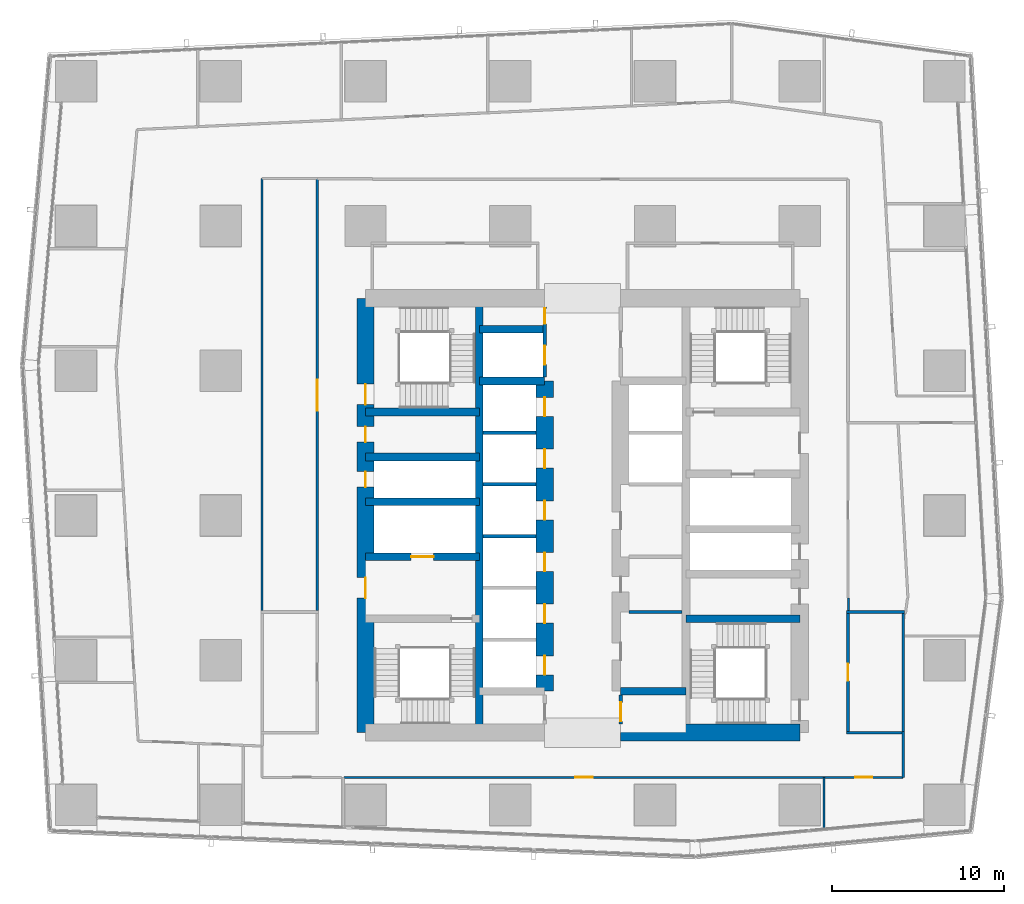
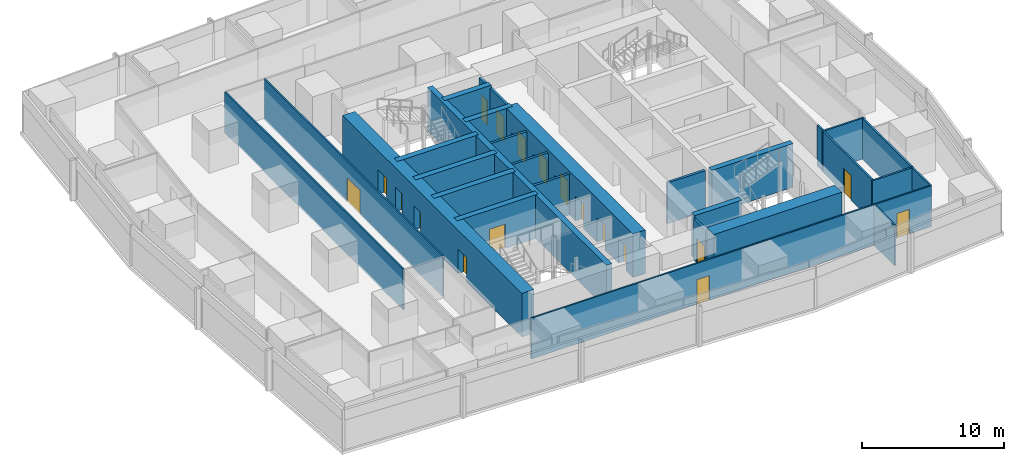
# One storey, part 25 of 37: 29 walls, 18 doors, 18 openings.
"""IFC4 building model written with IfcOpenShell, lengths in metres."""

from ifc_helpers import new_model, si_unit, direction, frame, frame_2d, origin, place, context, subcontext, project, spatial, rectangle, extrude, material, layer, layer_set, type_object, element, fill, save


model = new_model("IFC4")

# Units and contexts
model_context = context("Model", 3, precision=1e-05, world=origin(), true_north=direction((0.0, 1.0)))
body_context = subcontext(model_context, "Body", "Model", "MODEL_VIEW")
ifc_project = project(units=[si_unit("LENGTHUNIT", "METRE"), si_unit("AREAUNIT", "SQUARE_METRE"), si_unit("VOLUMEUNIT", "CUBIC_METRE"), si_unit("PLANEANGLEUNIT", "RADIAN"), si_unit("MASSUNIT", "GRAM", prefix="KILO")], contexts=[model_context])

# Site, building, storey
site_placement = place(None, origin())
site = spatial("IfcSite", under=ifc_project, at=site_placement, CompositionType="ELEMENT")
building_placement = place(site_placement, origin())
building = spatial("IfcBuilding", under=site, at=building_placement, Name="Rekha Terrace Tower", CompositionType="ELEMENT")
storey_placement = place(building_placement, frame((0.0, 0.0, 228.949951171875)))
storey = spatial("IfcBuildingStorey", under=building, at=storey_placement, Name="L58", CompositionType="ELEMENT", Elevation=228.949951171875)

# Walls
ifc_material_1 = material(Name="Concrete M60", Category="concrete")
ifc_layer_1 = layer(ifc_material_1, 0.449951171875)
ifc_layer_set_1 = layer_set([ifc_layer_1], Name="Concrete M60")
wall_type_1 = type_object("IfcWallType", Name="CI3 450 core internal shear wall", PredefinedType="SHEAR", material=ifc_layer_set_1)
wall_1_placement = place(storey_placement, frame((31.800048828125, 21.0, 0.0), z_axis=(0.0, 0.0, 1.0), x_axis=(0.0, 1.0, 0.0)))
element("IfcWall", 1, at=wall_1_placement, inside=storey, type_object=wall_type_1, Name="Core wall X318 L58", PredefinedType="SHEAR", context=body_context, shape_type="SweptSolid", body=[
    extrude(rectangle(XDim=25.199951171875, YDim=0.449951171875, at=frame_2d((12.60009765625, 0.0))), origin(), (0.0, 0.0, 1.0), 3.75),
])
for number, where, z_axis, x_axis, name in (
    (2, (31.800048828125, 41.39990234375, 0.0), (0.0, 0.0, 1.0), (1.0, 0.0, 0.0), "Core wall Y414W L58"),
    (3, (31.800048828125, 44.39990234375, 0.0), (0.0, 0.0, 1.0), (1.0, 0.0, 0.0), "Core wall Y444W L58"),
    (4, (40.0, 23.39990234375, 0.0), (0.0, 0.0, 1.0), (1.0, 0.0, 0.0), "Core wall Y234E L58"),
):
    element("IfcWall", number, at=place(storey_placement, frame(where, z_axis=z_axis, x_axis=x_axis)), inside=storey, type_object=wall_type_1, Name=name, PredefinedType="SHEAR", context=body_context, shape_type="SweptSolid", body=[
        extrude(rectangle(XDim=3.800048828125, YDim=0.449951171875, at=frame_2d((1.89990234375, 0.0))), origin(), (0.0, 0.0, 1.0), 3.75),
    ])

# Wall, opening, door
wall_2_placement = place(storey_placement, frame((25.199951171875, 31.199951171875, 0.0), z_axis=(0.0, 0.0, 1.0), x_axis=(1.0, 0.0, 0.0)))
wall_2 = element("IfcWall", 5, at=wall_2_placement, inside=storey, type_object=wall_type_1, Name="Core wall Y312W L58", PredefinedType="SHEAR", context=body_context, shape_type="SweptSolid", body=[
    extrude(rectangle(XDim=6.60009765625, YDim=0.449951171875, at=frame_2d((3.300048828125, 0.0))), origin(), (0.0, 0.0, 1.0), 3.75),
])
opening_1_placement = place(wall_2_placement, frame((2.64990234375, 0.0, 0.0)))
opening_1 = element("IfcOpeningElement", 6, at=opening_1_placement, cuts=wall_2, Name="Opening LD2", PredefinedType="OPENING", context=body_context, shape_type="SweptSolid", body=[
    extrude(rectangle(XDim=1.300048828125, YDim=2.10009765625, at=frame_2d((0.64990234375, 1.050048828125))), frame((0.0, 0.23486328125, 0.0), z_axis=(0.0, -1.0, 0.0), x_axis=(1.0, 0.0, 0.0)), (0.0, 0.0, 1.0), 0.469970703125),
])
ifc_material_2 = material(Name="Stainless steel sliding landing door", Category="steel")
door_type_1 = type_object("IfcDoorType", Name="LD2 1300x2100 fire lift landing door", OperationType="SLIDING_TO_LEFT", PredefinedType="USERDEFINED", material=ifc_material_2)
door_1_placement = place(opening_1_placement, origin())
door_1 = element("IfcDoor", 7, at=door_1_placement, inside=storey, type_object=door_type_1, Name="Lift FL1 landing door L58", ObjectType="LIFT LANDING DOOR", OperationType="SLIDING_TO_LEFT", OverallHeight=2.10009765625, OverallWidth=1.300048828125, PredefinedType="USERDEFINED", context=body_context, shape_type="SweptSolid", body=[
    extrude(rectangle(XDim=1.300048828125, YDim=2.10009765625, at=frame_2d((0.64990234375, 1.050048828125))), frame((0.0, 0.02490234375, 0.0), z_axis=(0.0, -1.0, 0.0), x_axis=(1.0, 0.0, 0.0)), (0.0, 0.0, 1.0), 0.050048828125),
])
fill(opening_1, door_1)

# Walls
for number, where, z_axis, x_axis, name in (
    (8, (25.199951171875, 34.39990234375, 0.0), (0.0, 0.0, 1.0), (1.0, 0.0, 0.0), "Core wall Y344W L58"),
    (9, (25.199951171875, 37.0, 0.0), (0.0, 0.0, 1.0), (1.0, 0.0, 0.0), "Core wall Y370W L58"),
    (10, (25.199951171875, 39.60009765625, 0.0), (0.0, 0.0, 1.0), (1.0, 0.0, 0.0), "Core wall Y396W L58"),
):
    element("IfcWall", number, at=place(storey_placement, frame(where, z_axis=z_axis, x_axis=x_axis)), inside=storey, type_object=wall_type_1, Name=name, PredefinedType="SHEAR", context=body_context, shape_type="SweptSolid", body=[
        extrude(rectangle(XDim=6.60009765625, YDim=0.449951171875, at=frame_2d((3.300048828125, 0.0))), origin(), (0.0, 0.0, 1.0), 3.75),
    ])
wall_3_placement = place(storey_placement, frame((43.800048828125, 27.60009765625, 0.0), z_axis=(0.0, 0.0, 1.0), x_axis=(1.0, 0.0, 0.0)))
element("IfcWall", 11, at=wall_3_placement, inside=storey, type_object=wall_type_1, Name="Core wall Y276E L58", PredefinedType="SHEAR", context=body_context, shape_type="SweptSolid", body=[
    extrude(rectangle(XDim=6.599853515625, YDim=0.449951171875, at=frame_2d((3.2998046875, 0.0))), origin(), (0.0, 0.0, 1.0), 3.75),
])

# Wall, openings, doors
ifc_layer_2 = layer(ifc_material_1, 1.0)
ifc_layer_set_2 = layer_set([ifc_layer_2], Name="Concrete M60")
wall_type_2 = type_object("IfcWallType", Name="LW3 1000 core lobby wall at an outrigger level", PredefinedType="SHEAR", material=ifc_layer_set_2)
wall_4_placement = place(storey_placement, frame((35.60009765625, 23.39990234375, 0.0), z_axis=(0.0, 0.0, 1.0), x_axis=(0.0, 1.0, 0.0)))
wall_4 = element("IfcWall", 12, at=wall_4_placement, inside=storey, type_object=wall_type_2, Name="Core wall X356 L58", PredefinedType="SHEAR", context=body_context, shape_type="SweptSolid", body=[
    extrude(rectangle(XDim=18.0, YDim=1.0, at=frame_2d((9.0, 0.0))), origin(), (0.0, 0.0, 1.0), 3.75),
])
opening_2_placement = place(wall_4_placement, frame((0.949951171875, 0.0, 0.0)))
opening_2 = element("IfcOpeningElement", 13, at=opening_2_placement, cuts=wall_4, Name="Opening LD1", PredefinedType="OPENING", context=body_context, shape_type="SweptSolid", body=[
    extrude(rectangle(XDim=1.10009765625, YDim=2.10009765625, at=frame_2d((0.550048828125, 1.050048828125))), frame((0.0, 0.510009765625, 0.0), z_axis=(0.0, -1.0, 0.0), x_axis=(1.0, 0.0, 0.0)), (0.0, 0.0, 1.0), 1.02001953125),
])
opening_3_placement = place(wall_4_placement, frame((3.949951171875, 0.0, 0.0)))
opening_3 = element("IfcOpeningElement", 14, at=opening_3_placement, cuts=wall_4, Name="Opening LD1", PredefinedType="OPENING", context=body_context, shape_type="SweptSolid", body=[
    extrude(rectangle(XDim=1.10009765625, YDim=2.10009765625, at=frame_2d((0.550048828125, 1.050048828125))), frame((0.0, 0.510009765625, 0.0), z_axis=(0.0, -1.0, 0.0), x_axis=(1.0, 0.0, 0.0)), (0.0, 0.0, 1.0), 1.02001953125),
])
opening_4_placement = place(wall_4_placement, frame((6.949951171875, 0.0, 0.0)))
opening_4 = element("IfcOpeningElement", 15, at=opening_4_placement, cuts=wall_4, Name="Opening LD1", PredefinedType="OPENING", context=body_context, shape_type="SweptSolid", body=[
    extrude(rectangle(XDim=1.10009765625, YDim=2.10009765625, at=frame_2d((0.550048828125, 1.050048828125))), frame((0.0, 0.510009765625, 0.0), z_axis=(0.0, -1.0, 0.0), x_axis=(1.0, 0.0, 0.0)), (0.0, 0.0, 1.0), 1.02001953125),
])
opening_5_placement = place(wall_4_placement, frame((9.949951171875, 0.0, 0.0)))
opening_5 = element("IfcOpeningElement", 16, at=opening_5_placement, cuts=wall_4, Name="Opening LD1", PredefinedType="OPENING", context=body_context, shape_type="SweptSolid", body=[
    extrude(rectangle(XDim=1.10009765625, YDim=2.10009765625, at=frame_2d((0.550048828125, 1.050048828125))), frame((0.0, 0.510009765625, 0.0), z_axis=(0.0, -1.0, 0.0), x_axis=(1.0, 0.0, 0.0)), (0.0, 0.0, 1.0), 1.02001953125),
])
opening_6_placement = place(wall_4_placement, frame((12.949951171875, 0.0, 0.0)))
opening_6 = element("IfcOpeningElement", 17, at=opening_6_placement, cuts=wall_4, Name="Opening LD1", PredefinedType="OPENING", context=body_context, shape_type="SweptSolid", body=[
    extrude(rectangle(XDim=1.10009765625, YDim=2.10009765625, at=frame_2d((0.550048828125, 1.050048828125))), frame((0.0, 0.510009765625, 0.0), z_axis=(0.0, -1.0, 0.0), x_axis=(1.0, 0.0, 0.0)), (0.0, 0.0, 1.0), 1.02001953125),
])
opening_7_placement = place(wall_4_placement, frame((15.949951171875, 0.0, 0.0)))
opening_7 = element("IfcOpeningElement", 18, at=opening_7_placement, cuts=wall_4, Name="Opening LD1", PredefinedType="OPENING", context=body_context, shape_type="SweptSolid", body=[
    extrude(rectangle(XDim=1.10009765625, YDim=2.10009765625, at=frame_2d((0.550048828125, 1.050048828125))), frame((0.0, 0.510009765625, 0.0), z_axis=(0.0, -1.0, 0.0), x_axis=(1.0, 0.0, 0.0)), (0.0, 0.0, 1.0), 1.02001953125),
])
door_type_2 = type_object("IfcDoorType", Name="LD1 1100x2100 lift landing door", OperationType="SLIDING_TO_LEFT", PredefinedType="USERDEFINED", material=ifc_material_2)
door_2_placement = place(opening_2_placement, origin())
door_2 = element("IfcDoor", 19, at=door_2_placement, inside=storey, type_object=door_type_2, Name="Lift C1 landing door L58", ObjectType="LIFT LANDING DOOR", OperationType="SLIDING_TO_LEFT", OverallHeight=2.10009765625, OverallWidth=1.10009765625, PredefinedType="USERDEFINED", context=body_context, shape_type="SweptSolid", body=[
    extrude(rectangle(XDim=1.10009765625, YDim=2.10009765625, at=frame_2d((0.550048828125, 1.050048828125))), frame((0.0, 0.02490234375, 0.0), z_axis=(0.0, -1.0, 0.0), x_axis=(1.0, 0.0, 0.0)), (0.0, 0.0, 1.0), 0.050048828125),
])
fill(opening_2, door_2)
door_3_placement = place(opening_3_placement, origin())
door_3 = element("IfcDoor", 20, at=door_3_placement, inside=storey, type_object=door_type_2, Name="Lift C2 landing door L58", ObjectType="LIFT LANDING DOOR", OperationType="SLIDING_TO_LEFT", OverallHeight=2.10009765625, OverallWidth=1.10009765625, PredefinedType="USERDEFINED", context=body_context, shape_type="SweptSolid", body=[
    extrude(rectangle(XDim=1.10009765625, YDim=2.10009765625, at=frame_2d((0.550048828125, 1.050048828125))), frame((0.0, 0.02490234375, 0.0), z_axis=(0.0, -1.0, 0.0), x_axis=(1.0, 0.0, 0.0)), (0.0, 0.0, 1.0), 0.050048828125),
])
fill(opening_3, door_3)
door_4_placement = place(opening_4_placement, origin())
door_4 = element("IfcDoor", 21, at=door_4_placement, inside=storey, type_object=door_type_2, Name="Lift C3 landing door L58", ObjectType="LIFT LANDING DOOR", OperationType="SLIDING_TO_LEFT", OverallHeight=2.10009765625, OverallWidth=1.10009765625, PredefinedType="USERDEFINED", context=body_context, shape_type="SweptSolid", body=[
    extrude(rectangle(XDim=1.10009765625, YDim=2.10009765625, at=frame_2d((0.550048828125, 1.050048828125))), frame((0.0, 0.02490234375, 0.0), z_axis=(0.0, -1.0, 0.0), x_axis=(1.0, 0.0, 0.0)), (0.0, 0.0, 1.0), 0.050048828125),
])
fill(opening_4, door_4)
door_5_placement = place(opening_5_placement, origin())
door_5 = element("IfcDoor", 22, at=door_5_placement, inside=storey, type_object=door_type_2, Name="Lift C4 landing door L58", ObjectType="LIFT LANDING DOOR", OperationType="SLIDING_TO_LEFT", OverallHeight=2.10009765625, OverallWidth=1.10009765625, PredefinedType="USERDEFINED", context=body_context, shape_type="SweptSolid", body=[
    extrude(rectangle(XDim=1.10009765625, YDim=2.10009765625, at=frame_2d((0.550048828125, 1.050048828125))), frame((0.0, 0.02490234375, 0.0), z_axis=(0.0, -1.0, 0.0), x_axis=(1.0, 0.0, 0.0)), (0.0, 0.0, 1.0), 0.050048828125),
])
fill(opening_5, door_5)
door_6_placement = place(opening_6_placement, origin())
door_6 = element("IfcDoor", 23, at=door_6_placement, inside=storey, type_object=door_type_2, Name="Lift C5 landing door L58", ObjectType="LIFT LANDING DOOR", OperationType="SLIDING_TO_LEFT", OverallHeight=2.10009765625, OverallWidth=1.10009765625, PredefinedType="USERDEFINED", context=body_context, shape_type="SweptSolid", body=[
    extrude(rectangle(XDim=1.10009765625, YDim=2.10009765625, at=frame_2d((0.550048828125, 1.050048828125))), frame((0.0, 0.02490234375, 0.0), z_axis=(0.0, -1.0, 0.0), x_axis=(1.0, 0.0, 0.0)), (0.0, 0.0, 1.0), 0.050048828125),
])
fill(opening_6, door_6)
door_7_placement = place(opening_7_placement, origin())
door_7 = element("IfcDoor", 24, at=door_7_placement, inside=storey, type_object=door_type_2, Name="Lift C6 landing door L58", ObjectType="LIFT LANDING DOOR", OperationType="SLIDING_TO_LEFT", OverallHeight=2.10009765625, OverallWidth=1.10009765625, PredefinedType="USERDEFINED", context=body_context, shape_type="SweptSolid", body=[
    extrude(rectangle(XDim=1.10009765625, YDim=2.10009765625, at=frame_2d((0.550048828125, 1.050048828125))), frame((0.0, 0.02490234375, 0.0), z_axis=(0.0, -1.0, 0.0), x_axis=(1.0, 0.0, 0.0)), (0.0, 0.0, 1.0), 0.050048828125),
])
fill(opening_7, door_7)

# Wall
ifc_layer_3 = layer(ifc_material_1, 1.0)
ifc_layer_set_3 = layer_set([ifc_layer_3], Name="Concrete M60")
wall_type_3 = type_object("IfcWallType", Name="SW3 1000 core outer shear wall", PredefinedType="SHEAR", material=ifc_layer_set_3)
wall_5_placement = place(storey_placement, frame((40.0, 21.0, 0.0), z_axis=(0.0, 0.0, 1.0), x_axis=(1.0, 0.0, 0.0)))
element("IfcWall", 25, at=wall_5_placement, inside=storey, type_object=wall_type_3, Name="Core wall S2 L58", PredefinedType="SHEAR", context=body_context, shape_type="SweptSolid", body=[
    extrude(rectangle(XDim=10.39990234375, YDim=1.0, at=frame_2d((5.199951171875, 0.0))), origin(), (0.0, 0.0, 1.0), 3.75),
])

# Wall, openings, doors
wall_6_placement = place(storey_placement, frame((25.199951171875, 21.0, 0.0), z_axis=(0.0, 0.0, 1.0), x_axis=(0.0, 1.0, 0.0)))
wall_6 = element("IfcWall", 26, at=wall_6_placement, inside=storey, type_object=wall_type_3, Name="Core wall W L58", PredefinedType="SHEAR", context=body_context, shape_type="SweptSolid", body=[
    extrude(rectangle(XDim=25.199951171875, YDim=1.0, at=frame_2d((12.60009765625, 0.0))), origin(), (0.0, 0.0, 1.0), 3.75),
])
opening_8_placement = place(wall_6_placement, frame((7.800048828125, 0.0, 0.0)))
opening_8 = element("IfcOpeningElement", 27, at=opening_8_placement, cuts=wall_6, Name="Opening D2", PredefinedType="OPENING", context=body_context, shape_type="SweptSolid", body=[
    extrude(rectangle(XDim=1.199951171875, YDim=2.10009765625, at=frame_2d((0.60009765625, 1.050048828125))), frame((0.0, 0.510009765625, 0.0), z_axis=(0.0, -1.0, 0.0), x_axis=(1.0, 0.0, 0.0)), (0.0, 0.0, 1.0), 1.02001953125),
])
opening_9_placement = place(wall_6_placement, frame((14.25, 0.0, 0.0)))
opening_9 = element("IfcOpeningElement", 28, at=opening_9_placement, cuts=wall_6, Name="Opening D5", PredefinedType="OPENING", context=body_context, shape_type="SweptSolid", body=[
    extrude(rectangle(XDim=0.89990234375, YDim=2.10009765625, at=frame_2d((0.449951171875, 1.050048828125))), frame((0.0, 0.510009765625, 0.0), z_axis=(0.0, -1.0, 0.0), x_axis=(1.0, 0.0, 0.0)), (0.0, 0.0, 1.0), 1.02001953125),
])
opening_10_placement = place(wall_6_placement, frame((16.85009765625, 0.0, 0.0)))
opening_10 = element("IfcOpeningElement", 29, at=opening_10_placement, cuts=wall_6, Name="Opening D5", PredefinedType="OPENING", context=body_context, shape_type="SweptSolid", body=[
    extrude(rectangle(XDim=0.89990234375, YDim=2.10009765625, at=frame_2d((0.449951171875, 1.050048828125))), frame((0.0, 0.510009765625, 0.0), z_axis=(0.0, -1.0, 0.0), x_axis=(1.0, 0.0, 0.0)), (0.0, 0.0, 1.0), 1.02001953125),
])
opening_11_placement = place(wall_6_placement, frame((19.02490234375, 0.0, 0.0)))
opening_11 = element("IfcOpeningElement", 30, at=opening_11_placement, cuts=wall_6, Name="Opening D1", PredefinedType="OPENING", context=body_context, shape_type="SweptSolid", body=[
    extrude(rectangle(XDim=1.199951171875, YDim=2.10009765625, at=frame_2d((0.60009765625, 1.050048828125))), frame((0.0, 0.510009765625, 0.0), z_axis=(0.0, -1.0, 0.0), x_axis=(1.0, 0.0, 0.0)), (0.0, 0.0, 1.0), 1.02001953125),
])
ifc_material_3 = material(Name="Steel fire door", Category="steel")
door_type_3 = type_object("IfcDoorType", Name="D1 1200x2100 stair fire door", OperationType="SINGLE_SWING_RIGHT", PredefinedType="DOOR", material=ifc_material_3)
door_8_placement = place(opening_11_placement, origin())
door_8 = element("IfcDoor", 31, at=door_8_placement, inside=storey, type_object=door_type_3, Name="Stair ST4 door L58", OperationType="SINGLE_SWING_RIGHT", OverallHeight=2.10009765625, OverallWidth=1.199951171875, PredefinedType="DOOR", context=body_context, shape_type="SweptSolid", body=[
    extrude(rectangle(XDim=1.199951171875, YDim=2.10009765625, at=frame_2d((0.60009765625, 1.050048828125))), frame((0.0, 0.02490234375, 0.0), z_axis=(0.0, -1.0, 0.0), x_axis=(1.0, 0.0, 0.0)), (0.0, 0.0, 1.0), 0.050048828125),
])
fill(opening_11, door_8)
door_type_4 = type_object("IfcDoorType", Name="D2 1200x2100 firefighting lobby door", OperationType="SINGLE_SWING_LEFT", PredefinedType="DOOR", material=ifc_material_3)
door_9_placement = place(opening_8_placement, origin())
door_9 = element("IfcDoor", 32, at=door_9_placement, inside=storey, type_object=door_type_4, Name="Door flb1 L58", OperationType="SINGLE_SWING_LEFT", OverallHeight=2.10009765625, OverallWidth=1.199951171875, PredefinedType="DOOR", context=body_context, shape_type="SweptSolid", body=[
    extrude(rectangle(XDim=1.199951171875, YDim=2.10009765625, at=frame_2d((0.60009765625, 1.050048828125))), frame((0.0, 0.02490234375, 0.0), z_axis=(0.0, -1.0, 0.0), x_axis=(1.0, 0.0, 0.0)), (0.0, 0.0, 1.0), 0.050048828125),
])
fill(opening_8, door_9)
door_type_5 = type_object("IfcDoorType", Name="D5 900x2100 riser access door", OperationType="SINGLE_SWING_LEFT", PredefinedType="DOOR", material=ifc_material_3)
door_10_placement = place(opening_9_placement, origin())
door_10 = element("IfcDoor", 33, at=door_10_placement, inside=storey, type_object=door_type_5, Name="Door rs1 L58", OperationType="SINGLE_SWING_LEFT", OverallHeight=2.10009765625, OverallWidth=0.89990234375, PredefinedType="DOOR", context=body_context, shape_type="SweptSolid", body=[
    extrude(rectangle(XDim=0.89990234375, YDim=2.10009765625, at=frame_2d((0.449951171875, 1.050048828125))), frame((0.0, 0.02490234375, 0.0), z_axis=(0.0, -1.0, 0.0), x_axis=(1.0, 0.0, 0.0)), (0.0, 0.0, 1.0), 0.050048828125),
])
fill(opening_9, door_10)
door_11_placement = place(opening_10_placement, origin())
door_11 = element("IfcDoor", 34, at=door_11_placement, inside=storey, type_object=door_type_5, Name="Door elw L58", OperationType="SINGLE_SWING_LEFT", OverallHeight=2.10009765625, OverallWidth=0.89990234375, PredefinedType="DOOR", context=body_context, shape_type="SweptSolid", body=[
    extrude(rectangle(XDim=0.89990234375, YDim=2.10009765625, at=frame_2d((0.449951171875, 1.050048828125))), frame((0.0, 0.02490234375, 0.0), z_axis=(0.0, -1.0, 0.0), x_axis=(1.0, 0.0, 0.0)), (0.0, 0.0, 1.0), 0.050048828125),
])
fill(opening_10, door_11)

# Walls
ifc_material_4 = material(Name="Concrete block masonry, 1 hour", Category="masonry")
ifc_layer_4 = layer(ifc_material_4, 0.14990234375)
ifc_layer_set_4 = layer_set([ifc_layer_4], Name="Concrete block masonry, 1 hour")
wall_type_4 = type_object("IfcWallType", Name="WP2 150 tenancy partition", PredefinedType="PARTITIONING", material=ifc_layer_set_4)
for number, where, z_axis, x_axis, name in (
    (35, (53.125, 21.0, 0.0), (0.0, 0.0, 1.0), (1.0, 0.0, 0.0), "Men's WC wall L58"),
    (36, (53.125, 28.0, 0.0), (0.0, 0.0, 1.0), (1.0, 0.0, 0.0), "Men's WC wall L58"),
):
    element("IfcWall", number, at=place(storey_placement, frame(where, z_axis=z_axis, x_axis=x_axis)), inside=storey, type_object=wall_type_4, Name=name, PredefinedType="PARTITIONING", context=body_context, shape_type="SweptSolid", body=[
        extrude(rectangle(XDim=3.35009765625, YDim=0.14990234375, at=frame_2d((1.675048828125, 0.0))), origin(), (0.0, 0.0, 1.0), 3.5),
    ])

# Wall, opening, door
wall_7_placement = place(storey_placement, frame((53.199951171875, 21.074951171875, 0.0), z_axis=(0.0, 0.0, 1.0), x_axis=(0.0, 1.0, 0.0)))
wall_7 = element("IfcWall", 37, at=wall_7_placement, inside=storey, type_object=wall_type_4, Name="Men's WC wall L58", PredefinedType="PARTITIONING", context=body_context, shape_type="SweptSolid", body=[
    extrude(rectangle(XDim=6.85009765625, YDim=0.14990234375, at=frame_2d((3.425048828125, 0.0))), origin(), (0.0, 0.0, 1.0), 3.5),
])
opening_12_placement = place(wall_7_placement, frame((2.925048828125, 0.0, 0.0)))
opening_12 = element("IfcOpeningElement", 38, at=opening_12_placement, cuts=wall_7, Name="Opening D3", PredefinedType="OPENING", context=body_context, shape_type="SweptSolid", body=[
    extrude(rectangle(XDim=1.0, YDim=2.10009765625, at=frame_2d((0.5, 1.050048828125))), frame((0.0, 0.0849609375, 0.0), z_axis=(0.0, -1.0, 0.0), x_axis=(1.0, 0.0, 0.0)), (0.0, 0.0, 1.0), 0.169921875),
])
ifc_material_5 = material(Name="Laminated timber fire door", Category="wood")
door_type_6 = type_object("IfcDoorType", Name="D3 1000x2100 WC door", OperationType="SINGLE_SWING_LEFT", PredefinedType="DOOR", material=ifc_material_5)
door_12_placement = place(opening_12_placement, origin())
door_12 = element("IfcDoor", 39, at=door_12_placement, inside=storey, type_object=door_type_6, Name="Door men's wc L58", OperationType="SINGLE_SWING_LEFT", OverallHeight=2.10009765625, OverallWidth=1.0, PredefinedType="DOOR", context=body_context, shape_type="SweptSolid", body=[
    extrude(rectangle(XDim=1.0, YDim=2.10009765625, at=frame_2d((0.5, 1.050048828125))), frame((0.0, 0.02490234375, 0.0), z_axis=(0.0, -1.0, 0.0), x_axis=(1.0, 0.0, 0.0)), (0.0, 0.0, 1.0), 0.050048828125),
])
fill(opening_12, door_12)

# Wall
wall_8_placement = place(storey_placement, frame((56.39990234375, 21.074951171875, 0.0), z_axis=(0.0, 0.0, 1.0), x_axis=(0.0, 1.0, 0.0)))
element("IfcWall", 40, at=wall_8_placement, inside=storey, type_object=wall_type_4, Name="Men's WC wall L58", PredefinedType="PARTITIONING", context=body_context, shape_type="SweptSolid", body=[
    extrude(rectangle(XDim=6.85009765625, YDim=0.14990234375, at=frame_2d((3.425048828125, 0.0))), origin(), (0.0, 0.0, 1.0), 3.5),
])

# Wall, opening, door
ifc_material_6 = material(Name="Two layers of fire-rated gypsum board each side on steel studs, acoustic quilt, 1 hour", Category="steel")
ifc_layer_5 = layer(ifc_material_6, 0.125)
ifc_layer_set_5 = layer_set([ifc_layer_5], Name="Two layers of fire-rated gypsum board each side on steel studs, acoustic quilt, 1 hour")
wall_type_5 = type_object("IfcWallType", Name="WP3 125 office partition", PredefinedType="PARTITIONING", material=ifc_layer_set_5)
wall_9_placement = place(storey_placement, frame((23.944091796875, 18.39990234375, 0.0), z_axis=(0.0, 0.0, 1.0), x_axis=(1.0, 0.0, 0.0)))
wall_9 = element("IfcWall", 41, at=wall_9_placement, inside=storey, type_object=wall_type_5, Name="Partition L58-02", PredefinedType="PARTITIONING", context=body_context, shape_type="SweptSolid", body=[
    extrude(rectangle(XDim=27.866943359375, YDim=0.125, at=frame_2d((13.93359375, 0.0))), origin(), (0.0, 0.0, 1.0), 3.5),
])
opening_13_placement = place(wall_9_placement, frame((13.43310546875, 0.0, 0.0)))
opening_13 = element("IfcOpeningElement", 42, at=opening_13_placement, cuts=wall_9, Name="Opening D9", PredefinedType="OPENING", context=body_context, shape_type="SweptSolid", body=[
    extrude(rectangle(XDim=1.0, YDim=2.10009765625, at=frame_2d((0.5, 1.050048828125))), frame((0.0, 0.072509765625, 0.0), z_axis=(0.0, -1.0, 0.0), x_axis=(1.0, 0.0, 0.0)), (0.0, 0.0, 1.0), 0.14501953125),
])
ifc_material_7 = material(Name="Timber fire door", Category="wood")
door_type_7 = type_object("IfcDoorType", Name="D9 1000x2100 office door", OperationType="SINGLE_SWING_LEFT", PredefinedType="DOOR", material=ifc_material_7)
door_13_placement = place(opening_13_placement, origin())
door_13 = element("IfcDoor", 43, at=door_13_placement, inside=storey, type_object=door_type_7, Name="Door office L58", OperationType="SINGLE_SWING_LEFT", OverallHeight=2.10009765625, OverallWidth=1.0, PredefinedType="DOOR", context=body_context, shape_type="SweptSolid", body=[
    extrude(rectangle(XDim=1.0, YDim=2.10009765625, at=frame_2d((0.5, 1.050048828125))), frame((0.0, 0.02490234375, 0.0), z_axis=(0.0, -1.0, 0.0), x_axis=(1.0, 0.0, 0.0)), (0.0, 0.0, 1.0), 0.050048828125),
])
fill(opening_13, door_13)

# Wall
wall_10_placement = place(storey_placement, frame((51.81103515625, 18.39990234375, 0.0), z_axis=(0.0, 0.0, 1.0), x_axis=(0.0, -1.0, 0.0)))
element("IfcWall", 44, at=wall_10_placement, inside=storey, type_object=wall_type_5, Name="Partition L58-02", PredefinedType="PARTITIONING", context=body_context, shape_type="SweptSolid", body=[
    extrude(rectangle(XDim=2.93994140625, YDim=0.125, at=frame_2d((1.469970703125, 0.0))), origin(), (0.0, 0.0, 1.0), 3.5),
])

# Wall, opening, door
wall_11_placement = place(storey_placement, frame((51.81201171875, 18.39990234375, 0.0), z_axis=(0.0, 0.0, 1.0), x_axis=(1.0, 0.0, 0.0)))
wall_11 = element("IfcWall", 45, at=wall_11_placement, inside=storey, type_object=wall_type_5, Name="Partition L58-03", PredefinedType="PARTITIONING", context=body_context, shape_type="SweptSolid", body=[
    extrude(rectangle(XDim=4.587890625, YDim=0.125, at=frame_2d((2.2939453125, 0.0))), origin(), (0.0, 0.0, 1.0), 3.5),
])
opening_14_placement = place(wall_11_placement, frame((1.7939453125, 0.0, 0.0)))
opening_14 = element("IfcOpeningElement", 46, at=opening_14_placement, cuts=wall_11, Name="Opening D9", PredefinedType="OPENING", context=body_context, shape_type="SweptSolid", body=[
    extrude(rectangle(XDim=1.0, YDim=2.10009765625, at=frame_2d((0.5, 1.050048828125))), frame((0.0, 0.072509765625, 0.0), z_axis=(0.0, -1.0, 0.0), x_axis=(1.0, 0.0, 0.0)), (0.0, 0.0, 1.0), 0.14501953125),
])
door_14_placement = place(opening_14_placement, origin())
door_14 = element("IfcDoor", 47, at=door_14_placement, inside=storey, type_object=door_type_7, Name="Door director's office L58", OperationType="SINGLE_SWING_LEFT", OverallHeight=2.10009765625, OverallWidth=1.0, PredefinedType="DOOR", context=body_context, shape_type="SweptSolid", body=[
    extrude(rectangle(XDim=1.0, YDim=2.10009765625, at=frame_2d((0.5, 1.050048828125))), frame((0.0, 0.02490234375, 0.0), z_axis=(0.0, -1.0, 0.0), x_axis=(1.0, 0.0, 0.0)), (0.0, 0.0, 1.0), 0.050048828125),
])
fill(opening_14, door_14)

# Walls
wall_12_placement = place(storey_placement, frame((56.39990234375, 18.39990234375, 0.0), z_axis=(0.0, 0.0, 1.0), x_axis=(0.0, 1.0, 0.0)))
element("IfcWall", 48, at=wall_12_placement, inside=storey, type_object=wall_type_5, Name="Partition L58-03", PredefinedType="PARTITIONING", context=body_context, shape_type="SweptSolid", body=[
    extrude(rectangle(XDim=2.675048828125, YDim=0.125, at=frame_2d((1.33740234375, 0.0))), origin(), (0.0, 0.0, 1.0), 3.5),
])
wall_13_placement = place(storey_placement, frame((19.199951171875, 28.074951171875, 0.0), z_axis=(0.0, 0.0, 1.0), x_axis=(0.0, 1.0, 0.0)))
element("IfcWall", 49, at=wall_13_placement, inside=storey, type_object=wall_type_5, Name="Partition L58-15", PredefinedType="PARTITIONING", context=body_context, shape_type="SweptSolid", body=[
    extrude(rectangle(XDim=25.074951171875, YDim=0.125, at=frame_2d((12.53759765625, 0.0))), origin(), (0.0, 0.0, 1.0), 3.5),
])

# Wall, opening, door
wall_14_placement = place(storey_placement, frame((22.39990234375, 53.14990234375, 0.0), z_axis=(0.0, 0.0, 1.0), x_axis=(0.0, -1.0, 0.0)))
wall_14 = element("IfcWall", 50, at=wall_14_placement, inside=storey, type_object=wall_type_5, Name="Partition L58-15", PredefinedType="PARTITIONING", context=body_context, shape_type="SweptSolid", body=[
    extrude(rectangle(XDim=25.074951171875, YDim=0.125, at=frame_2d((12.53759765625, 0.0))), origin(), (0.0, 0.0, 1.0), 3.5),
])
opening_15_placement = place(wall_14_placement, frame((11.675048828125, 0.0, 0.0)))
opening_15 = element("IfcOpeningElement", 51, at=opening_15_placement, cuts=wall_14, Name="Opening D8", PredefinedType="OPENING", context=body_context, shape_type="SweptSolid", body=[
    extrude(rectangle(XDim=1.800048828125, YDim=2.10009765625, at=frame_2d((0.89990234375, 1.050048828125))), frame((0.0, 0.072509765625, 0.0), z_axis=(0.0, -1.0, 0.0), x_axis=(1.0, 0.0, 0.0)), (0.0, 0.0, 1.0), 0.14501953125),
])
door_type_8 = type_object("IfcDoorType", Name="D8 1800x2100 double leaf door", OperationType="DOUBLE_DOOR_SINGLE_SWING", PredefinedType="DOOR", material=ifc_material_7)
door_15_placement = place(opening_15_placement, origin())
door_15 = element("IfcDoor", 52, at=door_15_placement, inside=storey, type_object=door_type_8, Name="Door reception L58", OperationType="DOUBLE_DOOR_SINGLE_SWING", OverallHeight=2.10009765625, OverallWidth=1.800048828125, PredefinedType="DOOR", context=body_context, shape_type="SweptSolid", body=[
    extrude(rectangle(XDim=1.800048828125, YDim=2.10009765625, at=frame_2d((0.89990234375, 1.050048828125))), frame((0.0, 0.02490234375, 0.0), z_axis=(0.0, -1.0, 0.0), x_axis=(1.0, 0.0, 0.0)), (0.0, 0.0, 1.0), 0.050048828125),
])
fill(opening_15, door_15)

# Walls
wall_15_placement = place(storey_placement, frame((53.22509765625, 28.074951171875, 0.0), z_axis=(0.0, 0.0, 1.0), x_axis=(0.0, 1.0, 0.0)))
element("IfcWall", 53, at=wall_15_placement, inside=storey, type_object=wall_type_5, Name="Partition L58-17", PredefinedType="PARTITIONING", context=body_context, shape_type="SweptSolid", body=[
    extrude(rectangle(XDim=0.737060546875, YDim=0.125, at=frame_2d((0.36865234375, 0.0))), origin(), (0.0, 0.0, 1.0), 3.5),
])
ifc_material_8 = material(Name="Solid concrete block masonry, 2 hour", Category="masonry")
ifc_layer_6 = layer(ifc_material_8, 0.199951171875)
ifc_layer_set_6 = layer_set([ifc_layer_6], Name="Solid concrete block masonry, 2 hour")
wall_type_6 = type_object("IfcWallType", Name="WS1 200 stair and shaft enclosure", PredefinedType="PARTITIONING", material=ifc_layer_set_6)
for number, where, z_axis, x_axis, name in (
    (54, (32.02490234375, 32.39990234375, 0.0), (0.0, 0.0, 1.0), (1.0, 0.0, 0.0), "Lift shaft divider L58"),
    (55, (32.02490234375, 35.39990234375, 0.0), (0.0, 0.0, 1.0), (1.0, 0.0, 0.0), "Lift shaft divider L58"),
    (56, (32.02490234375, 38.39990234375, 0.0), (0.0, 0.0, 1.0), (1.0, 0.0, 0.0), "Lift shaft divider L58"),
):
    element("IfcWall", number, at=place(storey_placement, frame(where, z_axis=z_axis, x_axis=x_axis)), inside=storey, type_object=wall_type_6, Name=name, PredefinedType="PARTITIONING", context=body_context, shape_type="SweptSolid", body=[
        extrude(rectangle(XDim=3.0751953125, YDim=0.199951171875, at=frame_2d((1.53759765625, 0.0))), origin(), (0.0, 0.0, 1.0), 3.5),
    ])

# Wall, opening, door
wall_16_placement = place(storey_placement, frame((40.0, 21.5, 0.0), z_axis=(0.0, 0.0, 1.0), x_axis=(0.0, 1.0, 0.0)))
wall_16 = element("IfcWall", 57, at=wall_16_placement, inside=storey, type_object=wall_type_6, Name="Core partition wca L58", PredefinedType="PARTITIONING", context=body_context, shape_type="SweptSolid", body=[
    extrude(rectangle(XDim=1.675048828125, YDim=0.199951171875, at=frame_2d((0.83740234375, 0.0))), origin(), (0.0, 0.0, 1.0), 3.5),
])
opening_16_placement = place(wall_16_placement, frame((0.14990234375, 0.0, 0.0)))
opening_16 = element("IfcOpeningElement", 58, at=opening_16_placement, cuts=wall_16, Name="Opening D4", PredefinedType="OPENING", context=body_context, shape_type="SweptSolid", body=[
    extrude(rectangle(XDim=1.10009765625, YDim=2.10009765625, at=frame_2d((0.550048828125, 1.050048828125))), frame((0.0, 0.10986328125, 0.0), z_axis=(0.0, -1.0, 0.0), x_axis=(1.0, 0.0, 0.0)), (0.0, 0.0, 1.0), 0.219970703125),
])
door_type_9 = type_object("IfcDoorType", Name="D4 1100x2100 accessible WC door", OperationType="SLIDING_TO_LEFT", PredefinedType="DOOR", material=ifc_material_5)
door_16_placement = place(opening_16_placement, origin())
door_16 = element("IfcDoor", 59, at=door_16_placement, inside=storey, type_object=door_type_9, Name="Door wca L58", OperationType="SLIDING_TO_LEFT", OverallHeight=2.10009765625, OverallWidth=1.10009765625, PredefinedType="DOOR", context=body_context, shape_type="SweptSolid", body=[
    extrude(rectangle(XDim=1.10009765625, YDim=2.10009765625, at=frame_2d((0.550048828125, 1.050048828125))), frame((0.0, 0.02490234375, 0.0), z_axis=(0.0, -1.0, 0.0), x_axis=(1.0, 0.0, 0.0)), (0.0, 0.0, 1.0), 0.050048828125),
])
fill(opening_16, door_16)

# Wall, openings, doors
wall_17_placement = place(storey_placement, frame((35.60009765625, 41.625, 0.0), z_axis=(0.0, 0.0, 1.0), x_axis=(0.0, 1.0, 0.0)))
wall_17 = element("IfcWall", 60, at=wall_17_placement, inside=storey, type_object=wall_type_6, Name="Core partition jansv L58", PredefinedType="PARTITIONING", context=body_context, shape_type="SweptSolid", body=[
    extrude(rectangle(XDim=4.074951171875, YDim=0.199951171875, at=frame_2d((2.03759765625, 0.0))), origin(), (0.0, 0.0, 1.0), 3.5),
])
opening_17_placement = place(wall_17_placement, frame((3.087890625, 0.0, 0.0)))
opening_17 = element("IfcOpeningElement", 61, at=opening_17_placement, cuts=wall_17, Name="Opening D5", PredefinedType="OPENING", context=body_context, shape_type="SweptSolid", body=[
    extrude(rectangle(XDim=0.89990234375, YDim=2.10009765625, at=frame_2d((0.449951171875, 1.050048828125))), frame((0.0, 0.10986328125, 0.0), z_axis=(0.0, -1.0, 0.0), x_axis=(1.0, 0.0, 0.0)), (0.0, 0.0, 1.0), 0.219970703125),
])
opening_18_placement = place(wall_17_placement, frame((0.72509765625, 0.0, 0.0)))
opening_18 = element("IfcOpeningElement", 62, at=opening_18_placement, cuts=wall_17, Name="Opening LD1", PredefinedType="OPENING", context=body_context, shape_type="SweptSolid", body=[
    extrude(rectangle(XDim=1.10009765625, YDim=2.10009765625, at=frame_2d((0.550048828125, 1.050048828125))), frame((0.0, 0.10986328125, 0.0), z_axis=(0.0, -1.0, 0.0), x_axis=(1.0, 0.0, 0.0)), (0.0, 0.0, 1.0), 0.219970703125),
])
door_17_placement = place(opening_17_placement, origin())
door_17 = element("IfcDoor", 63, at=door_17_placement, inside=storey, type_object=door_type_5, Name="Door janitor room L58", OperationType="SINGLE_SWING_LEFT", OverallHeight=2.10009765625, OverallWidth=0.89990234375, PredefinedType="DOOR", context=body_context, shape_type="SweptSolid", body=[
    extrude(rectangle(XDim=0.89990234375, YDim=2.10009765625, at=frame_2d((0.449951171875, 1.050048828125))), frame((0.0, 0.02490234375, 0.0), z_axis=(0.0, -1.0, 0.0), x_axis=(1.0, 0.0, 0.0)), (0.0, 0.0, 1.0), 0.050048828125),
])
fill(opening_17, door_17)
door_18_placement = place(opening_18_placement, origin())
door_18 = element("IfcDoor", 64, at=door_18_placement, inside=storey, type_object=door_type_2, Name="Lift SV1 landing door L58", ObjectType="LIFT LANDING DOOR", OperationType="SLIDING_TO_LEFT", OverallHeight=2.10009765625, OverallWidth=1.10009765625, PredefinedType="USERDEFINED", context=body_context, shape_type="SweptSolid", body=[
    extrude(rectangle(XDim=1.10009765625, YDim=2.10009765625, at=frame_2d((0.550048828125, 1.050048828125))), frame((0.0, 0.02490234375, 0.0), z_axis=(0.0, -1.0, 0.0), x_axis=(1.0, 0.0, 0.0)), (0.0, 0.0, 1.0), 0.050048828125),
])
fill(opening_18, door_18)

# Wall
wall_18_placement = place(storey_placement, frame((40.5, 28.0, 0.0), z_axis=(0.0, 0.0, 1.0), x_axis=(1.0, 0.0, 0.0)))
element("IfcWall", 65, at=wall_18_placement, inside=storey, type_object=wall_type_6, Name="Core partition freed shafts L58", PredefinedType="PARTITIONING", context=body_context, shape_type="SweptSolid", body=[
    extrude(rectangle(XDim=3.074951171875, YDim=0.199951171875, at=frame_2d((1.53759765625, 0.0))), origin(), (0.0, 0.0, 1.0), 3.5),
])

save(model, "model.ifc")
